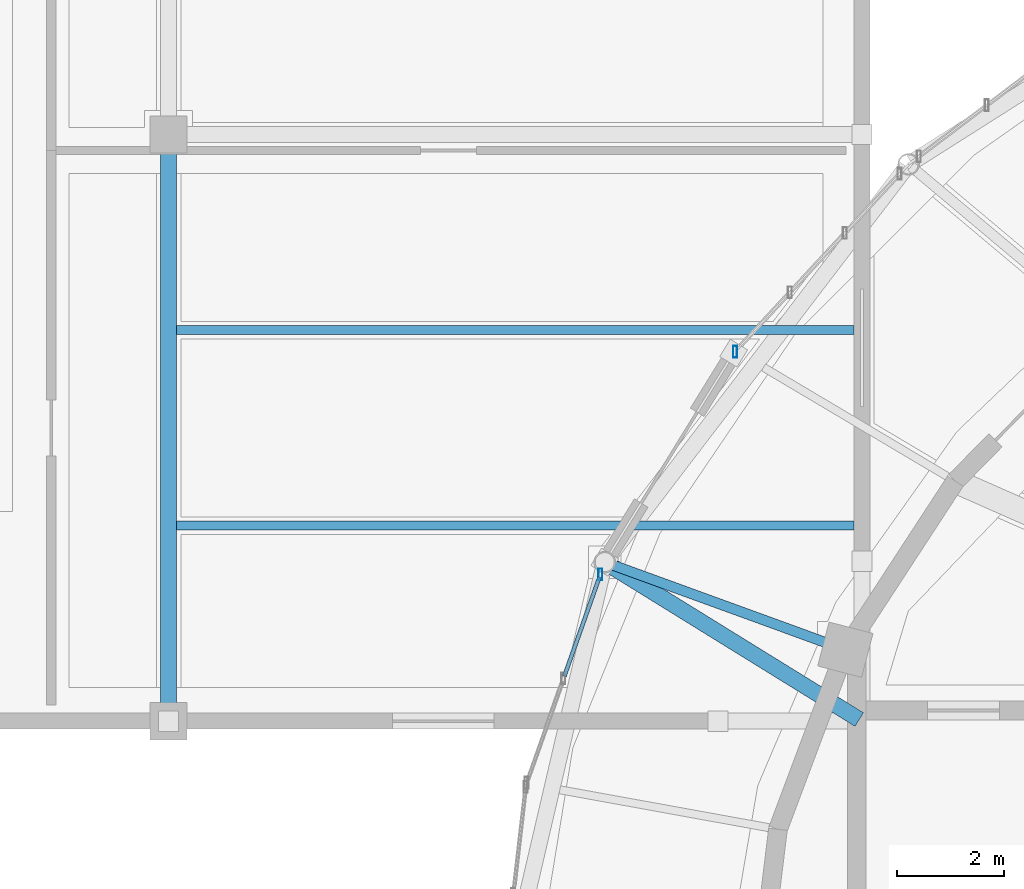
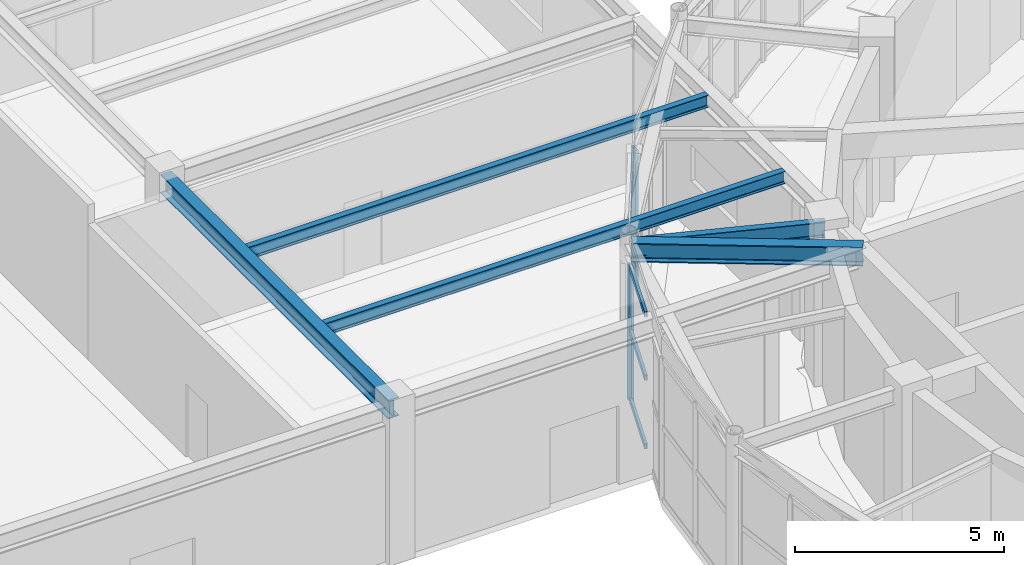
# One storey, part 33 of 108: 5 beams, 5 members, 2 elements without a shape of their own.
"""IFC4 building model written with IfcOpenShell, lengths in metres."""

import ifcopenshell
import ifcopenshell.guid

model = None  # the IFC model being written
_history = None  # IfcOwnerHistory: only IFC2X3 demands one
_inside = {}  # id of a spatial element -> (the spatial element, [elements in it])
_under = {}  # id of a project, library or spatial element -> (it, [spatial elements below it])
_declared = {}  # id of a project -> (the project, [libraries it declares])
_typed = {}  # id of a type object -> (the type object, [elements of that type])
_made_of = {}  # id of a material, layer set ... -> (it, [elements and type objects made of it])


def new_model(schema):
    """Start an empty IFC model of exactly this schema.

    Asked for "IFC4X3", IfcOpenShell would pick the latest addendum, in which some entities
    have other attributes; the version numbers below select the first issue.
    IFC2X3 requires an IfcOwnerHistory on every rooted entity: one is made here for all.
    """
    global model, _history
    if schema == "IFC4X3":
        model = ifcopenshell.file(schema_version=(4, 3, 0, 0))
    else:
        model = ifcopenshell.file(schema=schema)
    _inside.clear()
    _under.clear()
    _declared.clear()
    _typed.clear()
    _made_of.clear()
    _history = None
    if model.schema == "IFC2X3":
        org = make("IfcOrganization", Name="unknown")
        user = make(
            "IfcPersonAndOrganization",
            ThePerson=make("IfcPerson", FamilyName="unknown"),
            TheOrganization=org,
        )
        app = make(
            "IfcApplication",
            ApplicationDeveloper=org,
            Version="unknown",
            ApplicationFullName="unknown",
            ApplicationIdentifier="unknown",
        )
        _history = make(
            "IfcOwnerHistory",
            OwningUser=user,
            OwningApplication=app,
            ChangeAction="ADDED",
            CreationDate=0,
        )
    return model


def make(cls, **values):
    """One entity of the class cls with the attributes given. An attribute that is None is left unset."""
    return model.create_entity(
        cls, **{name: value for name, value in values.items() if value is not None}
    )


def rooted(cls, **values):
    """An entity with a GlobalId (a new one), such as an element, a storey or a relation."""
    return make(cls, GlobalId=ifcopenshell.guid.new(), OwnerHistory=_history, **values)


def si_unit(unit_type, name, prefix=None):
    """IfcSIUnit, for example si_unit("LENGTHUNIT", "METRE", prefix="MILLI")."""
    return make("IfcSIUnit", UnitType=unit_type, Prefix=prefix, Name=name)


def assignment(units):
    """IfcUnitAssignment: the units of a project."""
    return None if units is None else make("IfcUnitAssignment", Units=units)


def point(xyz):
    """IfcCartesianPoint."""
    return None if xyz is None else make("IfcCartesianPoint", Coordinates=xyz)


def direction(xyz):
    """IfcDirection."""
    return None if xyz is None else make("IfcDirection", DirectionRatios=xyz)


def frame(location, z_axis=None, x_axis=None):
    """IfcAxis2Placement3D, a coordinate frame: its origin and axes. An axis left out is left unset."""
    return make(
        "IfcAxis2Placement3D",
        Location=point(location),
        Axis=direction(z_axis),
        RefDirection=direction(x_axis),
    )


def frame_2d(location, x_axis=None):
    """IfcAxis2Placement2D, a coordinate frame in the plane: its origin and x axis."""
    return make(
        "IfcAxis2Placement2D", Location=point(location), RefDirection=direction(x_axis)
    )


def origin():
    """The frame at (0, 0, 0) with its axes left unset."""
    return frame((0.0, 0.0, 0.0))


def origin_2d():
    """The frame at (0, 0) in the plane with its x axis left unset."""
    return frame_2d((0.0, 0.0))


def place(relative_to, where):
    """IfcLocalPlacement: puts the frame where relative to a parent placement (None: the world)."""
    return make(
        "IfcLocalPlacement", PlacementRelTo=relative_to, RelativePlacement=where
    )


def context(
    kind, dimensions, precision=None, world=None, true_north=None, identifier=None
):
    """IfcGeometricRepresentationContext, for example the 3D "Model" context."""
    return make(
        "IfcGeometricRepresentationContext",
        ContextIdentifier=identifier,
        ContextType=kind,
        CoordinateSpaceDimension=dimensions,
        Precision=precision,
        WorldCoordinateSystem=world,
        TrueNorth=true_north,
    )


def subcontext(parent, identifier, kind, view, scale=None):
    """IfcGeometricRepresentationSubContext, for example "Body" below "Model"."""
    return make(
        "IfcGeometricRepresentationSubContext",
        ContextIdentifier=identifier,
        ContextType=kind,
        ParentContext=parent,
        TargetScale=scale,
        TargetView=view,
    )


def project(units=None, contexts=None):
    """IfcProject with its units and contexts."""
    return rooted(
        "IfcProject",
        Name="project",
        RepresentationContexts=contexts,
        UnitsInContext=assignment(units),
    )


def spatial(cls, under=None, at=None, **own):
    """A site, building, storey or space (cls), placed at a placement, below another one or the project."""
    s = rooted(cls, ObjectPlacement=at, **own)
    if under is not None:
        _under.setdefault(under.id(), (under, []))[1].append(s)
    return s


def profile(cls, at=None, kind="AREA", **sizes):
    """A parametric profile (cls). Its sizes go by their IFC names, for example OverallWidth=200.0."""
    return make(cls, ProfileType=kind, Position=at, **sizes)


def hollow_rectangle(**sizes):
    """IfcRectangleHollowProfileDef."""
    return profile("IfcRectangleHollowProfileDef", **sizes)


def i_section(**sizes):
    """IfcIShapeProfileDef."""
    return profile("IfcIShapeProfileDef", **sizes)


def extrude(swept, where, along, depth):
    """IfcExtrudedAreaSolid: the profile swept, set in the frame where, extruded along a direction by depth."""
    return make(
        "IfcExtrudedAreaSolid",
        SweptArea=swept,
        Position=where,
        ExtrudedDirection=direction(along),
        Depth=depth,
    )


def shape(context_of_items, identifier, shape_type, items):
    """IfcShapeRepresentation: the items that make up one representation, for example the "Body"."""
    return make(
        "IfcShapeRepresentation",
        ContextOfItems=context_of_items,
        RepresentationIdentifier=identifier,
        RepresentationType=shape_type,
        Items=items,
    )


def material(Name=None, Category=None):
    """IfcMaterial."""
    return make("IfcMaterial", Name=Name, Category=Category)


def material_profile(
    of_material, cross_section, Name=None, Category=None, Priority=None
):
    """IfcMaterialProfile: a cross section and its material."""
    return make(
        "IfcMaterialProfile",
        Name=Name,
        Material=of_material,
        Profile=cross_section,
        Priority=Priority,
        Category=Category,
    )


def profile_set(profiles, Name=None, composite=None):
    """IfcMaterialProfileSet."""
    return make(
        "IfcMaterialProfileSet",
        Name=Name,
        MaterialProfiles=profiles,
        CompositeProfile=composite,
    )


def made_of(thing, what):
    """Note that an element or type object is made of a material, layer set ...; save() writes the relation."""
    if what is not None:
        _made_of.setdefault(what.id(), (what, []))[1].append(thing)
    return thing


def type_object(cls, material=None, **own):
    """A type object (cls), such as IfcWallType, which elements share."""
    return made_of(rooted(cls, **own), material)


def element(
    cls,
    number,
    at=None,
    inside=None,
    cuts=None,
    type_object=None,
    material=None,
    context=None,
    identifier="Body",
    shape_type=None,
    held_by="IfcProductDefinitionShape",
    body=None,
    shapes=None,
    **own,
):
    """One element of the class cls, such as IfcWall. Its Tag is "e" and its number.

    at: its placement. inside: the storey or other place that contains it. cuts: it is an
    opening in that element (IfcRelVoidsElement). A single representation is given by context,
    identifier, shape_type and body (its items); several are given by shapes. held_by: the class
    of the entity that holds the representations. save() writes the other relations.
    """
    e = rooted(cls, Tag="e%d" % number, ObjectPlacement=at, **own)
    if body is not None:
        shapes = [shape(context, identifier, shape_type, body)]
    if shapes is not None:
        e.Representation = make(held_by, Representations=shapes)
    if inside is not None:
        _inside.setdefault(inside.id(), (inside, []))[1].append(e)
    if cuts is not None:
        rooted(
            "IfcRelVoidsElement", RelatingBuildingElement=cuts, RelatedOpeningElement=e
        )
    if type_object is not None:
        _typed.setdefault(type_object.id(), (type_object, []))[1].append(e)
    return made_of(e, material)


def aggregate(whole, parts):
    """IfcRelAggregates: a whole, such as a stair, and the parts it consists of."""
    return rooted("IfcRelAggregates", RelatingObject=whole, RelatedObjects=parts)


def save(model, path):
    """Write the relations noted so far, then the file.

    IfcRelAggregates (storeys below a building ...), IfcRelContainedInSpatialStructure (elements
    in a storey), IfcRelDefinesByType, IfcRelAssociatesMaterial and IfcRelDeclares: one each for
    every whole, place, type object, material and project.
    """
    for whole, parts in _under.values():
        aggregate(whole, parts)
    for where, things in _inside.values():
        rooted(
            "IfcRelContainedInSpatialStructure",
            RelatedElements=things,
            RelatingStructure=where,
        )
    for kind, things in _typed.values():
        rooted("IfcRelDefinesByType", RelatedObjects=things, RelatingType=kind)
    for what, things in _made_of.values():
        rooted("IfcRelAssociatesMaterial", RelatedObjects=things, RelatingMaterial=what)
    for by, libraries in _declared.values():
        rooted("IfcRelDeclares", RelatingContext=by, RelatedDefinitions=libraries)
    model.write(path)


model = new_model("IFC4")

# Units and contexts
model_context = context("Model", 3, precision=1e-05, world=origin(), true_north=direction((0.0, 1.0)))
body_context = subcontext(model_context, "Body", "Model", "MODEL_VIEW")
ifc_project = project(units=[si_unit("LENGTHUNIT", "METRE"), si_unit("AREAUNIT", "SQUARE_METRE"), si_unit("VOLUMEUNIT", "CUBIC_METRE"), si_unit("PLANEANGLEUNIT", "RADIAN"), si_unit("MASSUNIT", "GRAM", prefix="KILO")], contexts=[model_context])

# Site, building, storey
site_placement = place(None, origin())
site = spatial("IfcSite", under=ifc_project, at=site_placement, CompositionType="ELEMENT")
building_placement = place(site_placement, origin())
building = spatial("IfcBuilding", under=site, at=building_placement, Name="Tarnveldt Headland Concert Hall", CompositionType="ELEMENT")
storey_placement = place(building_placement, origin())
storey = spatial("IfcBuildingStorey", under=building, at=storey_placement, Name="L00", CompositionType="ELEMENT", Elevation=0.0)

# Curtain wall, member
ifc_material_1 = material(Name="Marine-anodised aluminium EN AW-6063-T6", Category="aluminium")
curtain_wall_type = type_object("IfcCurtainWallType", Name="CW-F1", PredefinedType="NOTDEFINED", material=ifc_material_1)
curtain_wall_1_placement = place(storey_placement, origin())
curtain_wall_1 = element("IfcCurtainWall", 1, at=curtain_wall_1_placement, inside=storey, type_object=curtain_wall_type, Name="Curtain wall CW-L00-012", PredefinedType="NOTDEFINED")
ifc_material_profile_1 = material_profile(ifc_material_1, hollow_rectangle(XDim=0.074951171875, YDim=0.219970703125, WallThickness=0.0048828125, at=origin_2d()), Name="ALU MULLION 75x220x5", Category="aluminium")
ifc_profile_set_1 = profile_set([ifc_material_profile_1], Name="Marine-anodised aluminium EN AW-6063-T6")
member_type_1 = type_object("IfcMemberType", Name="ML-200", PredefinedType="MULLION", material=ifc_profile_set_1)
member_1_placement = place(storey_placement, frame((55.12158203125, 66.92919921875, 0.0), z_axis=(0.0, 0.0, 1.0), x_axis=(1.0, 0.0, 0.0)))
member_1 = element("IfcMember", 2, at=member_1_placement, type_object=member_type_1, Name="Mullion CW-L00-012-4", PredefinedType="MULLION", context=body_context, shape_type="SweptSolid", body=[
    extrude(hollow_rectangle(XDim=0.074951171875, YDim=0.219970703125, WallThickness=0.0048828125, at=origin_2d()), origin(), (0.0, 0.0, 1.0), 3.9580078125),
])
aggregate(curtain_wall_1, [member_1])

curtain_wall_2_placement = place(storey_placement, origin())
curtain_wall_2 = element("IfcCurtainWall", 3, at=curtain_wall_2_placement, inside=storey, type_object=curtain_wall_type, Name="Curtain wall CW-L00-013", PredefinedType="NOTDEFINED")
member_2_placement = place(storey_placement, frame((52.596923828125, 62.7529296875, 0.0), z_axis=(0.0, 0.0, 1.0), x_axis=(1.0, 0.0, 0.0)))
member_2 = element("IfcMember", 4, at=member_2_placement, type_object=member_type_1, Name="Mullion CW-L00-013-1", PredefinedType="MULLION", context=body_context, shape_type="SweptSolid", body=[
    extrude(hollow_rectangle(XDim=0.074951171875, YDim=0.219970703125, WallThickness=0.0048828125, at=origin_2d()), origin(), (0.0, 0.0, 1.0), 3.9580078125),
])

# Beams
ifc_material_2 = material(Name="Steel S355", Category="steel")
ifc_material_profile_2 = material_profile(ifc_material_2, i_section(OverallWidth=0.300048828125, OverallDepth=0.550048828125, WebThickness=0.014892578125, FlangeThickness=0.029052734375, FilletRadius=0.027099609375, at=origin_2d()), Name="HEB550", Category="steel")
ifc_profile_set_2 = profile_set([ifc_material_profile_2], Name="Steel S355")
beam_type_1 = type_object("IfcBeamType", Name="SB-HEB550", PredefinedType="BEAM", material=ifc_profile_set_2)
beam_1_placement = place(storey_placement, frame((44.5, 60.06005859375, 4.2451171875), z_axis=(0.0, 1.0, 0.0), x_axis=(-1.0, 0.0, 0.0)))
element("IfcBeam", 5, at=beam_1_placement, inside=storey, type_object=beam_type_1, Name="Framing beam L00-657", PredefinedType="BEAM", context=body_context, shape_type="SweptSolid", body=[
    extrude(i_section(OverallWidth=0.300048828125, OverallDepth=0.550048828125, WebThickness=0.014892578125, FlangeThickness=0.029052734375, FilletRadius=0.027099609375, at=origin_2d()), origin(), (0.0, 0.0, 1.0), 10.8798828125),
])
beam_2_placement = place(storey_placement, frame((57.448974609375, 60.031494140625, 4.2451171875), z_axis=(-0.850502257935, 0.525971395845, 0.0), x_axis=(-0.525971395845, -0.850502257935, 0.0)))
element("IfcBeam", 6, at=beam_2_placement, inside=storey, type_object=beam_type_1, Name="Framing beam L00-677", PredefinedType="BEAM", context=body_context, shape_type="SweptSolid", body=[
    extrude(i_section(OverallWidth=0.300048828125, OverallDepth=0.550048828125, WebThickness=0.014892578125, FlangeThickness=0.029052734375, FilletRadius=0.027099609375, at=origin_2d()), origin(), (0.0, 0.0, 1.0), 5.549560546875),
])
ifc_material_profile_3 = material_profile(ifc_material_2, i_section(OverallWidth=0.169921875, OverallDepth=0.360107421875, WebThickness=0.008056640625, FlangeThickness=0.0126953125, FilletRadius=0.01806640625, at=origin_2d()), Name="IPE360", Category="steel")
ifc_profile_set_3 = profile_set([ifc_material_profile_3], Name="Steel S355")
beam_type_2 = type_object("IfcBeamType", Name="SB-IPE360", PredefinedType="JOIST", material=ifc_profile_set_3)
for number, where, z_axis, x_axis, name in (
    (7, (44.64990234375, 63.6669921875, 4.340087890625), (1.0, 0.0, 0.0), (0.0, 1.0, 0.0), "Framing beam L00-658"),
    (8, (44.64990234375, 67.3330078125, 4.340087890625), (1.0, 0.0, 0.0), (0.0, 1.0, 0.0), "Framing beam L00-659"),
):
    element("IfcBeam", number, at=place(storey_placement, frame(where, z_axis=z_axis, x_axis=x_axis)), inside=storey, type_object=beam_type_2, Name=name, PredefinedType="JOIST", context=body_context, shape_type="SweptSolid", body=[
        extrude(i_section(OverallWidth=0.169921875, OverallDepth=0.360107421875, WebThickness=0.008056640625, FlangeThickness=0.0126953125, FilletRadius=0.01806640625, at=origin_2d()), origin(), (0.0, 0.0, 1.0), 12.7001953125),
    ])
ifc_material_profile_4 = material_profile(ifc_material_2, i_section(OverallWidth=0.18994140625, OverallDepth=0.449951171875, WebThickness=0.009521484375, FlangeThickness=0.0146484375, FilletRadius=0.02099609375, at=origin_2d()), Name="IPE450", Category="steel")
ifc_profile_set_4 = profile_set([ifc_material_profile_4], Name="Steel S355")
beam_type_3 = type_object("IfcBeamType", Name="SB-IPE450", PredefinedType="BEAM", material=ifc_profile_set_4)
beam_3_placement = place(storey_placement, frame((57.15087890625, 61.35400390625, 4.294921875), z_axis=(-0.939673545823, 0.34207254681, 0.0), x_axis=(-0.34207254681, -0.939673545823, 0.0)))
element("IfcBeam", 9, at=beam_3_placement, inside=storey, type_object=beam_type_3, Name="Framing beam L00-372", PredefinedType="BEAM", context=body_context, shape_type="SweptSolid", body=[
    extrude(i_section(OverallWidth=0.18994140625, OverallDepth=0.449951171875, WebThickness=0.009521484375, FlangeThickness=0.0146484375, FilletRadius=0.02099609375, at=origin_2d()), origin(), (0.0, 0.0, 1.0), 4.69970703125),
])

# Member
ifc_material_profile_5 = material_profile(ifc_material_1, hollow_rectangle(XDim=0.074951171875, YDim=0.159912109375, WallThickness=0.00390625, at=origin_2d()), Name="ALU TRANSOM 75x160x4", Category="aluminium")
ifc_profile_set_5 = profile_set([ifc_material_profile_5], Name="Marine-anodised aluminium EN AW-6063-T6")
member_type_2 = type_object("IfcMemberType", Name="TR-160", PredefinedType="MEMBER", material=ifc_profile_set_5)
member_3_placement = place(storey_placement, frame((52.580322265625, 62.706298828125, 0.050048828125), z_axis=(-0.333977607749, -0.942581008467, 0.0), x_axis=(0.942581008467, -0.333977607749, 0.0)))
member_3 = element("IfcMember", 10, at=member_3_placement, type_object=member_type_2, Name="Transom CW-L00-013-1-1", PredefinedType="MEMBER", context=body_context, shape_type="SweptSolid", body=[
    extrude(hollow_rectangle(XDim=0.074951171875, YDim=0.159912109375, WallThickness=0.00390625, at=origin_2d()), origin(), (0.0, 0.0, 1.0), 1.974365234375),
])

member_4_placement = place(storey_placement, frame((52.580322265625, 62.706298828125, 2.05810546875), z_axis=(-0.333977607749, -0.942581008467, 0.0), x_axis=(0.942581008467, -0.333977607749, 0.0)))
member_4 = element("IfcMember", 11, at=member_4_placement, type_object=member_type_2, Name="Transom CW-L00-013-1-2", PredefinedType="MEMBER", context=body_context, shape_type="SweptSolid", body=[
    extrude(hollow_rectangle(XDim=0.074951171875, YDim=0.159912109375, WallThickness=0.00390625, at=origin_2d()), origin(), (0.0, 0.0, 1.0), 1.974365234375),
])

member_5_placement = place(storey_placement, frame((52.580322265625, 62.706298828125, 3.907958984375), z_axis=(-0.333977607749, -0.942581008467, 0.0), x_axis=(0.942581008467, -0.333977607749, 0.0)))
member_5 = element("IfcMember", 12, at=member_5_placement, type_object=member_type_2, Name="Transom CW-L00-013-1-3", PredefinedType="MEMBER", context=body_context, shape_type="SweptSolid", body=[
    extrude(hollow_rectangle(XDim=0.074951171875, YDim=0.159912109375, WallThickness=0.00390625, at=origin_2d()), origin(), (0.0, 0.0, 1.0), 1.974365234375),
])

aggregate(curtain_wall_2, [member_2, member_3, member_4, member_5])

save(model, "model.ifc")
